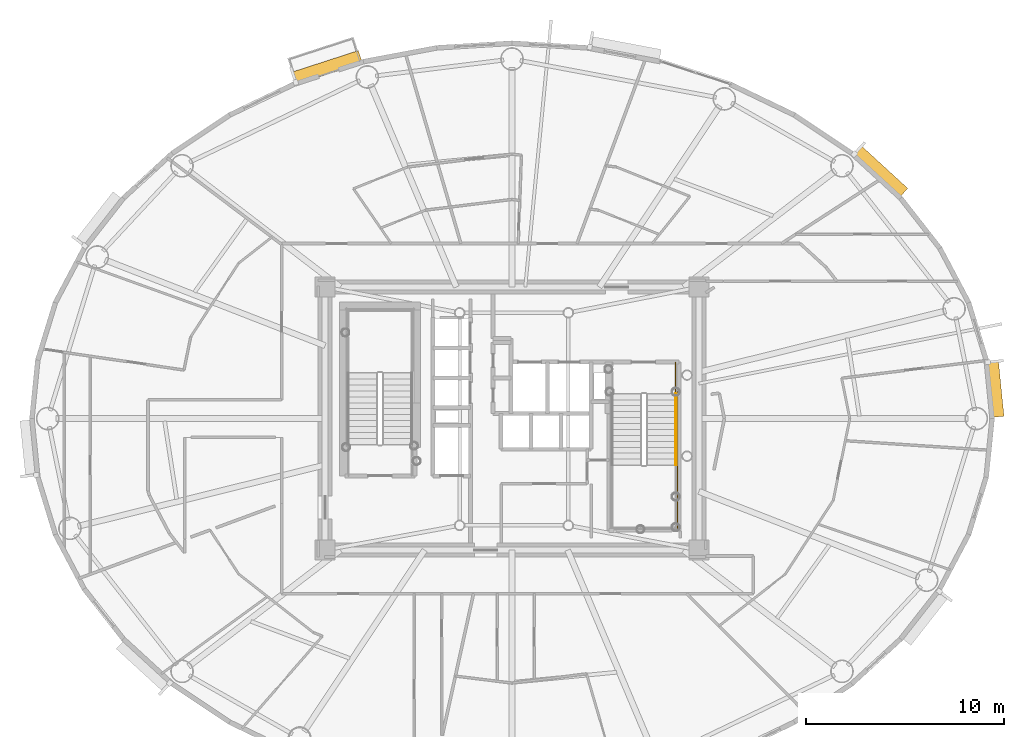
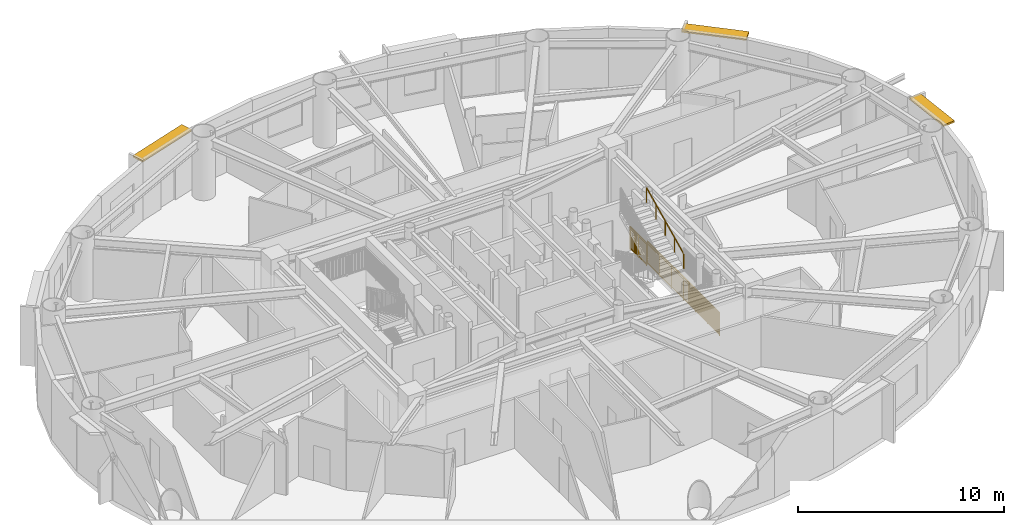
# One storey, part 18 of 19: 3 railings, 3 shading devices.
"""IFC4 building model written with IfcOpenShell, lengths in metres."""

import ifcopenshell
import ifcopenshell.guid

model = None  # the IFC model being written
_history = None  # IfcOwnerHistory: only IFC2X3 demands one
_inside = {}  # id of a spatial element -> (the spatial element, [elements in it])
_under = {}  # id of a project, library or spatial element -> (it, [spatial elements below it])
_declared = {}  # id of a project -> (the project, [libraries it declares])
_typed = {}  # id of a type object -> (the type object, [elements of that type])
_made_of = {}  # id of a material, layer set ... -> (it, [elements and type objects made of it])


def new_model(schema):
    """Start an empty IFC model of exactly this schema.

    Asked for "IFC4X3", IfcOpenShell would pick the latest addendum, in which some entities
    have other attributes; the version numbers below select the first issue.
    IFC2X3 requires an IfcOwnerHistory on every rooted entity: one is made here for all.
    """
    global model, _history
    if schema == "IFC4X3":
        model = ifcopenshell.file(schema_version=(4, 3, 0, 0))
    else:
        model = ifcopenshell.file(schema=schema)
    _inside.clear()
    _under.clear()
    _declared.clear()
    _typed.clear()
    _made_of.clear()
    _history = None
    if model.schema == "IFC2X3":
        org = make("IfcOrganization", Name="unknown")
        user = make(
            "IfcPersonAndOrganization",
            ThePerson=make("IfcPerson", FamilyName="unknown"),
            TheOrganization=org,
        )
        app = make(
            "IfcApplication",
            ApplicationDeveloper=org,
            Version="unknown",
            ApplicationFullName="unknown",
            ApplicationIdentifier="unknown",
        )
        _history = make(
            "IfcOwnerHistory",
            OwningUser=user,
            OwningApplication=app,
            ChangeAction="ADDED",
            CreationDate=0,
        )
    return model


def make(cls, **values):
    """One entity of the class cls with the attributes given. An attribute that is None is left unset."""
    return model.create_entity(
        cls, **{name: value for name, value in values.items() if value is not None}
    )


def rooted(cls, **values):
    """An entity with a GlobalId (a new one), such as an element, a storey or a relation."""
    return make(cls, GlobalId=ifcopenshell.guid.new(), OwnerHistory=_history, **values)


def si_unit(unit_type, name, prefix=None):
    """IfcSIUnit, for example si_unit("LENGTHUNIT", "METRE", prefix="MILLI")."""
    return make("IfcSIUnit", UnitType=unit_type, Prefix=prefix, Name=name)


def assignment(units):
    """IfcUnitAssignment: the units of a project."""
    return None if units is None else make("IfcUnitAssignment", Units=units)


def point(xyz):
    """IfcCartesianPoint."""
    return None if xyz is None else make("IfcCartesianPoint", Coordinates=xyz)


def direction(xyz):
    """IfcDirection."""
    return None if xyz is None else make("IfcDirection", DirectionRatios=xyz)


def frame(location, z_axis=None, x_axis=None):
    """IfcAxis2Placement3D, a coordinate frame: its origin and axes. An axis left out is left unset."""
    return make(
        "IfcAxis2Placement3D",
        Location=point(location),
        Axis=direction(z_axis),
        RefDirection=direction(x_axis),
    )


def frame_2d(location, x_axis=None):
    """IfcAxis2Placement2D, a coordinate frame in the plane: its origin and x axis."""
    return make(
        "IfcAxis2Placement2D", Location=point(location), RefDirection=direction(x_axis)
    )


def origin():
    """The frame at (0, 0, 0) with its axes left unset."""
    return frame((0.0, 0.0, 0.0))


def origin_2d():
    """The frame at (0, 0) in the plane with its x axis left unset."""
    return frame_2d((0.0, 0.0))


def place(relative_to, where):
    """IfcLocalPlacement: puts the frame where relative to a parent placement (None: the world)."""
    return make(
        "IfcLocalPlacement", PlacementRelTo=relative_to, RelativePlacement=where
    )


def context(
    kind, dimensions, precision=None, world=None, true_north=None, identifier=None
):
    """IfcGeometricRepresentationContext, for example the 3D "Model" context."""
    return make(
        "IfcGeometricRepresentationContext",
        ContextIdentifier=identifier,
        ContextType=kind,
        CoordinateSpaceDimension=dimensions,
        Precision=precision,
        WorldCoordinateSystem=world,
        TrueNorth=true_north,
    )


def subcontext(parent, identifier, kind, view, scale=None):
    """IfcGeometricRepresentationSubContext, for example "Body" below "Model"."""
    return make(
        "IfcGeometricRepresentationSubContext",
        ContextIdentifier=identifier,
        ContextType=kind,
        ParentContext=parent,
        TargetScale=scale,
        TargetView=view,
    )


def project(units=None, contexts=None):
    """IfcProject with its units and contexts."""
    return rooted(
        "IfcProject",
        Name="project",
        RepresentationContexts=contexts,
        UnitsInContext=assignment(units),
    )


def spatial(cls, under=None, at=None, **own):
    """A site, building, storey or space (cls), placed at a placement, below another one or the project."""
    s = rooted(cls, ObjectPlacement=at, **own)
    if under is not None:
        _under.setdefault(under.id(), (under, []))[1].append(s)
    return s


def profile(cls, at=None, kind="AREA", **sizes):
    """A parametric profile (cls). Its sizes go by their IFC names, for example OverallWidth=200.0."""
    return make(cls, ProfileType=kind, Position=at, **sizes)


def rectangle(**sizes):
    """IfcRectangleProfileDef."""
    return profile("IfcRectangleProfileDef", **sizes)


def extrude(swept, where, along, depth):
    """IfcExtrudedAreaSolid: the profile swept, set in the frame where, extruded along a direction by depth."""
    return make(
        "IfcExtrudedAreaSolid",
        SweptArea=swept,
        Position=where,
        ExtrudedDirection=direction(along),
        Depth=depth,
    )


def shape(context_of_items, identifier, shape_type, items):
    """IfcShapeRepresentation: the items that make up one representation, for example the "Body"."""
    return make(
        "IfcShapeRepresentation",
        ContextOfItems=context_of_items,
        RepresentationIdentifier=identifier,
        RepresentationType=shape_type,
        Items=items,
    )


def source(mapping_origin, context_of_items, identifier, shape_type, items):
    """IfcRepresentationMap: a shape defined once, which mapped items show again and again."""
    return make(
        "IfcRepresentationMap",
        MappingOrigin=mapping_origin,
        MappedRepresentation=shape(context_of_items, identifier, shape_type, items),
    )


def transform(
    local_origin,
    x_axis=None,
    y_axis=None,
    z_axis=None,
    scale=None,
    scale2=None,
    scale3=None,
    uniform=True,
):
    """IfcCartesianTransformationOperator3D, or its non-uniform kind. x_axis, y_axis, z_axis: its Axis1, 2, 3."""
    if uniform:
        return make(
            "IfcCartesianTransformationOperator3D",
            Axis1=direction(x_axis),
            Axis2=direction(y_axis),
            LocalOrigin=point(local_origin),
            Scale=scale,
            Axis3=direction(z_axis),
        )
    return make(
        "IfcCartesianTransformationOperator3DnonUniform",
        Axis1=direction(x_axis),
        Axis2=direction(y_axis),
        LocalOrigin=point(local_origin),
        Scale=scale,
        Axis3=direction(z_axis),
        Scale2=scale2,
        Scale3=scale3,
    )


def mapped(mapping_source, mapping_target):
    """IfcMappedItem: shows the shape of a source again, moved by a transform."""
    return make(
        "IfcMappedItem", MappingSource=mapping_source, MappingTarget=mapping_target
    )


def material(Name=None, Category=None):
    """IfcMaterial."""
    return make("IfcMaterial", Name=Name, Category=Category)


def layer(
    of_material, thickness, ventilated=None, Name=None, Category=None, Priority=None
):
    """IfcMaterialLayer: one layer of a wall or slab, of a material (None: an air gap)."""
    return make(
        "IfcMaterialLayer",
        Material=of_material,
        LayerThickness=thickness,
        IsVentilated=ventilated,
        Name=Name,
        Category=Category,
        Priority=Priority,
    )


def layer_set(layers, Name=None):
    """IfcMaterialLayerSet."""
    return make("IfcMaterialLayerSet", MaterialLayers=layers, LayerSetName=Name)


def made_of(thing, what):
    """Note that an element or type object is made of a material, layer set ...; save() writes the relation."""
    if what is not None:
        _made_of.setdefault(what.id(), (what, []))[1].append(thing)
    return thing


def type_object(cls, material=None, **own):
    """A type object (cls), such as IfcWallType, which elements share."""
    return made_of(rooted(cls, **own), material)


def element(
    cls,
    number,
    at=None,
    inside=None,
    cuts=None,
    type_object=None,
    material=None,
    context=None,
    identifier="Body",
    shape_type=None,
    held_by="IfcProductDefinitionShape",
    body=None,
    shapes=None,
    **own,
):
    """One element of the class cls, such as IfcWall. Its Tag is "e" and its number.

    at: its placement. inside: the storey or other place that contains it. cuts: it is an
    opening in that element (IfcRelVoidsElement). A single representation is given by context,
    identifier, shape_type and body (its items); several are given by shapes. held_by: the class
    of the entity that holds the representations. save() writes the other relations.
    """
    e = rooted(cls, Tag="e%d" % number, ObjectPlacement=at, **own)
    if body is not None:
        shapes = [shape(context, identifier, shape_type, body)]
    if shapes is not None:
        e.Representation = make(held_by, Representations=shapes)
    if inside is not None:
        _inside.setdefault(inside.id(), (inside, []))[1].append(e)
    if cuts is not None:
        rooted(
            "IfcRelVoidsElement", RelatingBuildingElement=cuts, RelatedOpeningElement=e
        )
    if type_object is not None:
        _typed.setdefault(type_object.id(), (type_object, []))[1].append(e)
    return made_of(e, material)


def aggregate(whole, parts):
    """IfcRelAggregates: a whole, such as a stair, and the parts it consists of."""
    return rooted("IfcRelAggregates", RelatingObject=whole, RelatedObjects=parts)


def save(model, path):
    """Write the relations noted so far, then the file.

    IfcRelAggregates (storeys below a building ...), IfcRelContainedInSpatialStructure (elements
    in a storey), IfcRelDefinesByType, IfcRelAssociatesMaterial and IfcRelDeclares: one each for
    every whole, place, type object, material and project.
    """
    for whole, parts in _under.values():
        aggregate(whole, parts)
    for where, things in _inside.values():
        rooted(
            "IfcRelContainedInSpatialStructure",
            RelatedElements=things,
            RelatingStructure=where,
        )
    for kind, things in _typed.values():
        rooted("IfcRelDefinesByType", RelatedObjects=things, RelatingType=kind)
    for what, things in _made_of.values():
        rooted("IfcRelAssociatesMaterial", RelatedObjects=things, RelatingMaterial=what)
    for by, libraries in _declared.values():
        rooted("IfcRelDeclares", RelatingContext=by, RelatedDefinitions=libraries)
    model.write(path)


model = new_model("IFC4")

# Units and contexts
model_context = context("Model", 3, precision=1e-05, world=origin(), true_north=direction((0.0, 1.0)))
body_context = subcontext(model_context, "Body", "Model", "MODEL_VIEW")
ifc_project = project(units=[si_unit("LENGTHUNIT", "METRE"), si_unit("AREAUNIT", "SQUARE_METRE"), si_unit("VOLUMEUNIT", "CUBIC_METRE"), si_unit("PLANEANGLEUNIT", "RADIAN"), si_unit("MASSUNIT", "GRAM", prefix="KILO")], contexts=[model_context])

# Site, building, storey
site_placement = place(None, origin())
site = spatial("IfcSite", under=ifc_project, at=site_placement, CompositionType="ELEMENT")
building_placement = place(site_placement, origin())
building = spatial("IfcBuilding", under=site, at=building_placement, Name="Linh Dai School and Residence Tower", CompositionType="ELEMENT")
storey_placement = place(building_placement, frame((0.0, 0.0, 217.800048828125)))
storey = spatial("IfcBuildingStorey", under=building, at=storey_placement, Name="L53", CompositionType="ELEMENT", Elevation=217.800048828125)

# Shading devices
ifc_material_1 = material(Name="Terracotta Ceramic Sunshade", Category="masonry")
ifc_layer = layer(ifc_material_1, 0.10009765625)
ifc_layer_set = layer_set([ifc_layer], Name="Terracotta Ceramic Sunshade")
shading_device_type = type_object("IfcShadingDeviceType", Name="SHD-TC-650", PredefinedType="USERDEFINED", material=ifc_layer_set)
shared_shape_1 = source(origin(), body_context, "Body", "SweptSolid", [
    extrude(rectangle(XDim=2.859619140625, YDim=0.64990234375, at=origin_2d()), origin(), (0.0, 0.0, 1.0), 0.10009765625),
])
shading_device_1_placement = place(storey_placement, frame((60.40966796875, 28.510498046875, 3.3798828125), z_axis=(0.0, 0.0, 1.0), x_axis=(0.100012244219, -0.99498620644, 0.0)))
element("IfcShadingDevice", 1, at=shading_device_1_placement, inside=storey, type_object=shading_device_type, Name="L53 Terracotta Horizontal Sunshade Band 01", ObjectType="SUNSHADE", PredefinedType="USERDEFINED", context=body_context, shape_type="MappedRepresentation", body=[
    mapped(shared_shape_1, transform((0.0, 0.0, 0.0), x_axis=(1.0, 0.0, 0.0), y_axis=(0.0, 1.0, 0.0), z_axis=(0.0, 0.0, 1.0), scale=1.0)),
])
shared_shape_2 = source(origin(), body_context, "Body", "SweptSolid", [
    extrude(rectangle(XDim=3.219482421875, YDim=0.64990234375, at=origin_2d()), origin(), (0.0, 0.0, 1.0), 0.10009765625),
])
shading_device_2_placement = place(storey_placement, frame((54.60498046875, 39.48779296875, 3.3798828125), z_axis=(0.0, 0.0, 1.0), x_axis=(0.737123938446, -0.675757574408, 0.0)))
element("IfcShadingDevice", 2, at=shading_device_2_placement, inside=storey, type_object=shading_device_type, Name="L53 Terracotta Horizontal Sunshade Band 05", ObjectType="SUNSHADE", PredefinedType="USERDEFINED", context=body_context, shape_type="MappedRepresentation", body=[
    mapped(shared_shape_2, transform((0.0, 0.0, 0.0), x_axis=(1.0, 0.0, 0.0), y_axis=(0.0, 1.0, 0.0), z_axis=(0.0, 0.0, 1.0), scale=1.0)),
])
shared_shape_3 = source(origin(), body_context, "Body", "SweptSolid", [
    extrude(rectangle(XDim=3.554443359375, YDim=0.64990234375, at=origin_2d()), origin(), (0.0, 0.0, 1.0), 0.10009765625),
])
shading_device_3_placement = place(storey_placement, frame((26.641845703125, 44.748779296875, 3.3798828125), z_axis=(0.0, 0.0, 1.0), x_axis=(0.951223997135, 0.308501065272, 0.0)))
element("IfcShadingDevice", 3, at=shading_device_3_placement, inside=storey, type_object=shading_device_type, Name="L53 Terracotta Horizontal Sunshade Band 13", ObjectType="SUNSHADE", PredefinedType="USERDEFINED", context=body_context, shape_type="MappedRepresentation", body=[
    mapped(shared_shape_3, transform((0.0, 0.0, 0.0), x_axis=(1.0, 0.0, 0.0), y_axis=(0.0, 1.0, 0.0), z_axis=(0.0, 0.0, 1.0), scale=1.0)),
])

# Railings
ifc_material_2 = material(Name="Brushed Stainless Steel Handrail", Category="steel")
railing_type_1 = type_object("IfcRailingType", Name="RL-ST-HANDRAIL-900", PredefinedType="HANDRAIL", material=ifc_material_2)
shared_shape_4 = source(origin(), body_context, "Body", "SweptSolid", [
    extrude(rectangle(XDim=0.048095703125, YDim=0.048095703125, at=origin_2d()), frame((0.0, 0.0, 0.8759765625), z_axis=(0.0, 0.901262522062, 0.433273431364), x_axis=(-1.0, 0.0, 0.0)), (0.0, 0.0, 1.0), 3.994384765625),
    extrude(rectangle(XDim=0.0419921875, YDim=0.0419921875, at=origin_2d()), origin(), (0.0, 0.0, 1.0), 0.8759765625),
    extrude(rectangle(XDim=0.0419921875, YDim=0.0419921875, at=origin_2d()), frame((0.0, 0.89990234375, 0.4326171875)), (0.0, 0.0, 1.0), 0.8759765625),
    extrude(rectangle(XDim=0.0419921875, YDim=0.0419921875, at=origin_2d()), frame((0.0, 1.800048828125, 0.865234375)), (0.0, 0.0, 1.0), 0.8759765625),
    extrude(rectangle(XDim=0.0419921875, YDim=0.0419921875, at=origin_2d()), frame((0.0, 2.7001953125, 1.298095703125)), (0.0, 0.0, 1.0), 0.8759765625),
    extrude(rectangle(XDim=0.0419921875, YDim=0.0419921875, at=origin_2d()), frame((0.0, 3.60009765625, 1.730712890625)), (0.0, 0.0, 1.0), 0.8759765625),
])
railing_1_placement = place(storey_placement, frame((44.27001953125, 24.64990234375, 2.019287109375)))
element("IfcRailing", 4, at=railing_1_placement, inside=storey, type_object=railing_type_1, Name="L53 ST2 stair handrail 2", PredefinedType="HANDRAIL", context=body_context, shape_type="MappedRepresentation", body=[
    mapped(shared_shape_4, transform((0.0, 0.0, 0.0), x_axis=(1.0, 0.0, 0.0), y_axis=(0.0, 1.0, 0.0), z_axis=(0.0, 0.0, 1.0), scale=1.0)),
])
ifc_material_3 = material(Name="Structural Steel S355JR", Category="steel")
railing_type_2 = type_object("IfcRailingType", Name="RL-ST-GUARD-1400", PredefinedType="GUARDRAIL", material=ifc_material_3)
shared_shape_5 = source(origin(), body_context, "Body", "SweptSolid", [
    extrude(rectangle(XDim=0.048095703125, YDim=0.048095703125, at=origin_2d()), frame((0.0, 0.0, 1.3759765625), z_axis=(0.0, -1.0, 0.0), x_axis=(1.0, 0.0, 0.0)), (0.0, 0.0, 1.0), 1.60009765625),
    extrude(rectangle(XDim=0.048095703125, YDim=0.048095703125, at=origin_2d()), frame((0.0, 0.0, 0.10009765625), z_axis=(0.0, -1.0, 0.0), x_axis=(1.0, 0.0, 0.0)), (0.0, 0.0, 1.0), 1.60009765625),
    extrude(rectangle(XDim=0.030029296875, YDim=0.030029296875, at=origin_2d()), frame((0.0, 0.0, 1.239990234375), z_axis=(0.0, -1.0, 0.0), x_axis=(1.0, 0.0, 0.0)), (0.0, 0.0, 1.0), 1.60009765625),
    extrude(rectangle(XDim=0.02001953125, YDim=0.02001953125, at=origin_2d()), frame((0.0, -0.09423828125, 0.10009765625)), (0.0, 0.0, 1.0), 1.251708984375),
    extrude(rectangle(XDim=0.02001953125, YDim=0.02001953125, at=origin_2d()), frame((0.0, -0.188232421875, 0.10009765625)), (0.0, 0.0, 1.0), 1.251708984375),
    extrude(rectangle(XDim=0.02001953125, YDim=0.02001953125, at=origin_2d()), frame((0.0, -0.282470703125, 0.10009765625)), (0.0, 0.0, 1.0), 1.251708984375),
    extrude(rectangle(XDim=0.02001953125, YDim=0.02001953125, at=origin_2d()), frame((0.0, -0.37646484375, 0.10009765625)), (0.0, 0.0, 1.0), 1.251708984375),
    extrude(rectangle(XDim=0.02001953125, YDim=0.02001953125, at=origin_2d()), frame((0.0, -0.470703125, 0.10009765625)), (0.0, 0.0, 1.0), 1.251708984375),
    extrude(rectangle(XDim=0.02001953125, YDim=0.02001953125, at=origin_2d()), frame((0.0, -0.564697265625, 0.10009765625)), (0.0, 0.0, 1.0), 1.251708984375),
    extrude(rectangle(XDim=0.02001953125, YDim=0.02001953125, at=origin_2d()), frame((0.0, -0.658935546875, 0.10009765625)), (0.0, 0.0, 1.0), 1.251708984375),
    extrude(rectangle(XDim=0.02001953125, YDim=0.02001953125, at=origin_2d()), frame((0.0, -0.7529296875, 0.10009765625)), (0.0, 0.0, 1.0), 1.251708984375),
    extrude(rectangle(XDim=0.02001953125, YDim=0.02001953125, at=origin_2d()), frame((0.0, -0.84716796875, 0.10009765625)), (0.0, 0.0, 1.0), 1.251708984375),
    extrude(rectangle(XDim=0.02001953125, YDim=0.02001953125, at=origin_2d()), frame((0.0, -0.941162109375, 0.10009765625)), (0.0, 0.0, 1.0), 1.251708984375),
    extrude(rectangle(XDim=0.02001953125, YDim=0.02001953125, at=origin_2d()), frame((0.0, -1.035400390625, 0.10009765625)), (0.0, 0.0, 1.0), 1.251708984375),
    extrude(rectangle(XDim=0.02001953125, YDim=0.02001953125, at=origin_2d()), frame((0.0, -1.12939453125, 0.10009765625)), (0.0, 0.0, 1.0), 1.251708984375),
    extrude(rectangle(XDim=0.02001953125, YDim=0.02001953125, at=origin_2d()), frame((0.0, -1.2236328125, 0.10009765625)), (0.0, 0.0, 1.0), 1.251708984375),
    extrude(rectangle(XDim=0.02001953125, YDim=0.02001953125, at=origin_2d()), frame((0.0, -1.317626953125, 0.10009765625)), (0.0, 0.0, 1.0), 1.251708984375),
    extrude(rectangle(XDim=0.02001953125, YDim=0.02001953125, at=origin_2d()), frame((0.0, -1.411865234375, 0.10009765625)), (0.0, 0.0, 1.0), 1.251708984375),
    extrude(rectangle(XDim=0.02001953125, YDim=0.02001953125, at=origin_2d()), frame((0.0, -1.505859375, 0.10009765625)), (0.0, 0.0, 1.0), 1.251708984375),
    extrude(rectangle(XDim=0.0419921875, YDim=0.0419921875, at=origin_2d()), origin(), (0.0, 0.0, 1.0), 1.3759765625),
    extrude(rectangle(XDim=0.0419921875, YDim=0.0419921875, at=origin_2d()), frame((0.0, -0.800048828125, 0.0)), (0.0, 0.0, 1.0), 1.3759765625),
    extrude(rectangle(XDim=0.0419921875, YDim=0.0419921875, at=origin_2d()), frame((0.0, -1.60009765625, 0.0)), (0.0, 0.0, 1.0), 1.3759765625),
])
railing_2_placement = place(storey_placement, frame((44.27001953125, 29.85009765625, 0.0)))
element("IfcRailing", 5, at=railing_2_placement, inside=storey, type_object=railing_type_2, Name="L53 ST2 stair guard 9", PredefinedType="GUARDRAIL", context=body_context, shape_type="MappedRepresentation", body=[
    mapped(shared_shape_5, transform((0.0, 0.0, 0.0), x_axis=(1.0, 0.0, 0.0), y_axis=(0.0, 1.0, 0.0), z_axis=(0.0, 0.0, 1.0), scale=1.0)),
])
shared_shape_6 = source(origin(), body_context, "Body", "SweptSolid", [
    extrude(rectangle(XDim=0.048095703125, YDim=0.048095703125, at=origin_2d()), frame((0.0, 0.0, 1.3759765625), z_axis=(0.0, -1.0, 0.0), x_axis=(1.0, 0.0, 0.0)), (0.0, 0.0, 1.0), 7.0),
    extrude(rectangle(XDim=0.048095703125, YDim=0.048095703125, at=origin_2d()), frame((0.0, 0.0, 0.10009765625), z_axis=(0.0, -1.0, 0.0), x_axis=(1.0, 0.0, 0.0)), (0.0, 0.0, 1.0), 7.0),
    extrude(rectangle(XDim=0.030029296875, YDim=0.030029296875, at=origin_2d()), frame((0.0, 0.0, 1.239990234375), z_axis=(0.0, -1.0, 0.0), x_axis=(1.0, 0.0, 0.0)), (0.0, 0.0, 1.0), 7.0),
    extrude(rectangle(XDim=0.02001953125, YDim=0.02001953125, at=origin_2d()), frame((0.0, -0.09716796875, 0.10009765625)), (0.0, 0.0, 1.0), 1.251708984375),
    extrude(rectangle(XDim=0.02001953125, YDim=0.02001953125, at=origin_2d()), frame((0.0, -0.1943359375, 0.10009765625)), (0.0, 0.0, 1.0), 1.251708984375),
    extrude(rectangle(XDim=0.02001953125, YDim=0.02001953125, at=origin_2d()), frame((0.0, -0.291748046875, 0.10009765625)), (0.0, 0.0, 1.0), 1.251708984375),
    extrude(rectangle(XDim=0.02001953125, YDim=0.02001953125, at=origin_2d()), frame((0.0, -0.388916015625, 0.10009765625)), (0.0, 0.0, 1.0), 1.251708984375),
    extrude(rectangle(XDim=0.02001953125, YDim=0.02001953125, at=origin_2d()), frame((0.0, -0.486083984375, 0.10009765625)), (0.0, 0.0, 1.0), 1.251708984375),
    extrude(rectangle(XDim=0.02001953125, YDim=0.02001953125, at=origin_2d()), frame((0.0, -0.583251953125, 0.10009765625)), (0.0, 0.0, 1.0), 1.251708984375),
    extrude(rectangle(XDim=0.02001953125, YDim=0.02001953125, at=origin_2d()), frame((0.0, -0.6806640625, 0.10009765625)), (0.0, 0.0, 1.0), 1.251708984375),
    extrude(rectangle(XDim=0.02001953125, YDim=0.02001953125, at=origin_2d()), frame((0.0, -0.77783203125, 0.10009765625)), (0.0, 0.0, 1.0), 1.251708984375),
    extrude(rectangle(XDim=0.02001953125, YDim=0.02001953125, at=origin_2d()), frame((0.0, -0.875, 0.10009765625)), (0.0, 0.0, 1.0), 1.251708984375),
    extrude(rectangle(XDim=0.02001953125, YDim=0.02001953125, at=origin_2d()), frame((0.0, -0.97216796875, 0.10009765625)), (0.0, 0.0, 1.0), 1.251708984375),
    extrude(rectangle(XDim=0.02001953125, YDim=0.02001953125, at=origin_2d()), frame((0.0, -1.0693359375, 0.10009765625)), (0.0, 0.0, 1.0), 1.251708984375),
    extrude(rectangle(XDim=0.02001953125, YDim=0.02001953125, at=origin_2d()), frame((0.0, -1.263916015625, 0.10009765625)), (0.0, 0.0, 1.0), 1.251708984375),
    extrude(rectangle(XDim=0.02001953125, YDim=0.02001953125, at=origin_2d()), frame((0.0, -1.361083984375, 0.10009765625)), (0.0, 0.0, 1.0), 1.251708984375),
    extrude(rectangle(XDim=0.02001953125, YDim=0.02001953125, at=origin_2d()), frame((0.0, -1.458251953125, 0.10009765625)), (0.0, 0.0, 1.0), 1.251708984375),
    extrude(rectangle(XDim=0.02001953125, YDim=0.02001953125, at=origin_2d()), frame((0.0, -1.5556640625, 0.10009765625)), (0.0, 0.0, 1.0), 1.251708984375),
    extrude(rectangle(XDim=0.02001953125, YDim=0.02001953125, at=origin_2d()), frame((0.0, -1.65283203125, 0.10009765625)), (0.0, 0.0, 1.0), 1.251708984375),
    extrude(rectangle(XDim=0.02001953125, YDim=0.02001953125, at=origin_2d()), frame((0.0, -1.75, 0.10009765625)), (0.0, 0.0, 1.0), 1.251708984375),
    extrude(rectangle(XDim=0.02001953125, YDim=0.02001953125, at=origin_2d()), frame((0.0, -1.84716796875, 0.10009765625)), (0.0, 0.0, 1.0), 1.251708984375),
    extrude(rectangle(XDim=0.02001953125, YDim=0.02001953125, at=origin_2d()), frame((0.0, -1.9443359375, 0.10009765625)), (0.0, 0.0, 1.0), 1.251708984375),
    extrude(rectangle(XDim=0.02001953125, YDim=0.02001953125, at=origin_2d()), frame((0.0, -2.041748046875, 0.10009765625)), (0.0, 0.0, 1.0), 1.251708984375),
    extrude(rectangle(XDim=0.02001953125, YDim=0.02001953125, at=origin_2d()), frame((0.0, -2.138916015625, 0.10009765625)), (0.0, 0.0, 1.0), 1.251708984375),
    extrude(rectangle(XDim=0.02001953125, YDim=0.02001953125, at=origin_2d()), frame((0.0, -2.236083984375, 0.10009765625)), (0.0, 0.0, 1.0), 1.251708984375),
    extrude(rectangle(XDim=0.02001953125, YDim=0.02001953125, at=origin_2d()), frame((0.0, -2.4306640625, 0.10009765625)), (0.0, 0.0, 1.0), 1.251708984375),
    extrude(rectangle(XDim=0.02001953125, YDim=0.02001953125, at=origin_2d()), frame((0.0, -2.52783203125, 0.10009765625)), (0.0, 0.0, 1.0), 1.251708984375),
    extrude(rectangle(XDim=0.02001953125, YDim=0.02001953125, at=origin_2d()), frame((0.0, -2.625, 0.10009765625)), (0.0, 0.0, 1.0), 1.251708984375),
    extrude(rectangle(XDim=0.02001953125, YDim=0.02001953125, at=origin_2d()), frame((0.0, -2.72216796875, 0.10009765625)), (0.0, 0.0, 1.0), 1.251708984375),
    extrude(rectangle(XDim=0.02001953125, YDim=0.02001953125, at=origin_2d()), frame((0.0, -2.8193359375, 0.10009765625)), (0.0, 0.0, 1.0), 1.251708984375),
    extrude(rectangle(XDim=0.02001953125, YDim=0.02001953125, at=origin_2d()), frame((0.0, -2.916748046875, 0.10009765625)), (0.0, 0.0, 1.0), 1.251708984375),
    extrude(rectangle(XDim=0.02001953125, YDim=0.02001953125, at=origin_2d()), frame((0.0, -3.013916015625, 0.10009765625)), (0.0, 0.0, 1.0), 1.251708984375),
    extrude(rectangle(XDim=0.02001953125, YDim=0.02001953125, at=origin_2d()), frame((0.0, -3.111083984375, 0.10009765625)), (0.0, 0.0, 1.0), 1.251708984375),
    extrude(rectangle(XDim=0.02001953125, YDim=0.02001953125, at=origin_2d()), frame((0.0, -3.208251953125, 0.10009765625)), (0.0, 0.0, 1.0), 1.251708984375),
    extrude(rectangle(XDim=0.02001953125, YDim=0.02001953125, at=origin_2d()), frame((0.0, -3.3056640625, 0.10009765625)), (0.0, 0.0, 1.0), 1.251708984375),
    extrude(rectangle(XDim=0.02001953125, YDim=0.02001953125, at=origin_2d()), frame((0.0, -3.40283203125, 0.10009765625)), (0.0, 0.0, 1.0), 1.251708984375),
    extrude(rectangle(XDim=0.02001953125, YDim=0.02001953125, at=origin_2d()), frame((0.0, -3.59716796875, 0.10009765625)), (0.0, 0.0, 1.0), 1.251708984375),
    extrude(rectangle(XDim=0.02001953125, YDim=0.02001953125, at=origin_2d()), frame((0.0, -3.6943359375, 0.10009765625)), (0.0, 0.0, 1.0), 1.251708984375),
    extrude(rectangle(XDim=0.02001953125, YDim=0.02001953125, at=origin_2d()), frame((0.0, -3.791748046875, 0.10009765625)), (0.0, 0.0, 1.0), 1.251708984375),
    extrude(rectangle(XDim=0.02001953125, YDim=0.02001953125, at=origin_2d()), frame((0.0, -3.888916015625, 0.10009765625)), (0.0, 0.0, 1.0), 1.251708984375),
    extrude(rectangle(XDim=0.02001953125, YDim=0.02001953125, at=origin_2d()), frame((0.0, -3.986083984375, 0.10009765625)), (0.0, 0.0, 1.0), 1.251708984375),
    extrude(rectangle(XDim=0.02001953125, YDim=0.02001953125, at=origin_2d()), frame((0.0, -4.083251953125, 0.10009765625)), (0.0, 0.0, 1.0), 1.251708984375),
    extrude(rectangle(XDim=0.02001953125, YDim=0.02001953125, at=origin_2d()), frame((0.0, -4.1806640625, 0.10009765625)), (0.0, 0.0, 1.0), 1.251708984375),
    extrude(rectangle(XDim=0.02001953125, YDim=0.02001953125, at=origin_2d()), frame((0.0, -4.27783203125, 0.10009765625)), (0.0, 0.0, 1.0), 1.251708984375),
    extrude(rectangle(XDim=0.02001953125, YDim=0.02001953125, at=origin_2d()), frame((0.0, -4.375, 0.10009765625)), (0.0, 0.0, 1.0), 1.251708984375),
    extrude(rectangle(XDim=0.02001953125, YDim=0.02001953125, at=origin_2d()), frame((0.0, -4.47216796875, 0.10009765625)), (0.0, 0.0, 1.0), 1.251708984375),
    extrude(rectangle(XDim=0.02001953125, YDim=0.02001953125, at=origin_2d()), frame((0.0, -4.5693359375, 0.10009765625)), (0.0, 0.0, 1.0), 1.251708984375),
    extrude(rectangle(XDim=0.02001953125, YDim=0.02001953125, at=origin_2d()), frame((0.0, -4.763916015625, 0.10009765625)), (0.0, 0.0, 1.0), 1.251708984375),
    extrude(rectangle(XDim=0.02001953125, YDim=0.02001953125, at=origin_2d()), frame((0.0, -4.861083984375, 0.10009765625)), (0.0, 0.0, 1.0), 1.251708984375),
    extrude(rectangle(XDim=0.02001953125, YDim=0.02001953125, at=origin_2d()), frame((0.0, -4.958251953125, 0.10009765625)), (0.0, 0.0, 1.0), 1.251708984375),
    extrude(rectangle(XDim=0.02001953125, YDim=0.02001953125, at=origin_2d()), frame((0.0, -5.0556640625, 0.10009765625)), (0.0, 0.0, 1.0), 1.251708984375),
    extrude(rectangle(XDim=0.02001953125, YDim=0.02001953125, at=origin_2d()), frame((0.0, -5.15283203125, 0.10009765625)), (0.0, 0.0, 1.0), 1.251708984375),
    extrude(rectangle(XDim=0.02001953125, YDim=0.02001953125, at=origin_2d()), frame((0.0, -5.25, 0.10009765625)), (0.0, 0.0, 1.0), 1.251708984375),
    extrude(rectangle(XDim=0.02001953125, YDim=0.02001953125, at=origin_2d()), frame((0.0, -5.34716796875, 0.10009765625)), (0.0, 0.0, 1.0), 1.251708984375),
    extrude(rectangle(XDim=0.02001953125, YDim=0.02001953125, at=origin_2d()), frame((0.0, -5.4443359375, 0.10009765625)), (0.0, 0.0, 1.0), 1.251708984375),
    extrude(rectangle(XDim=0.02001953125, YDim=0.02001953125, at=origin_2d()), frame((0.0, -5.541748046875, 0.10009765625)), (0.0, 0.0, 1.0), 1.251708984375),
    extrude(rectangle(XDim=0.02001953125, YDim=0.02001953125, at=origin_2d()), frame((0.0, -5.638916015625, 0.10009765625)), (0.0, 0.0, 1.0), 1.251708984375),
    extrude(rectangle(XDim=0.02001953125, YDim=0.02001953125, at=origin_2d()), frame((0.0, -5.736083984375, 0.10009765625)), (0.0, 0.0, 1.0), 1.251708984375),
    extrude(rectangle(XDim=0.02001953125, YDim=0.02001953125, at=origin_2d()), frame((0.0, -5.9306640625, 0.10009765625)), (0.0, 0.0, 1.0), 1.251708984375),
    extrude(rectangle(XDim=0.02001953125, YDim=0.02001953125, at=origin_2d()), frame((0.0, -6.02783203125, 0.10009765625)), (0.0, 0.0, 1.0), 1.251708984375),
    extrude(rectangle(XDim=0.02001953125, YDim=0.02001953125, at=origin_2d()), frame((0.0, -6.125, 0.10009765625)), (0.0, 0.0, 1.0), 1.251708984375),
    extrude(rectangle(XDim=0.02001953125, YDim=0.02001953125, at=origin_2d()), frame((0.0, -6.22216796875, 0.10009765625)), (0.0, 0.0, 1.0), 1.251708984375),
    extrude(rectangle(XDim=0.02001953125, YDim=0.02001953125, at=origin_2d()), frame((0.0, -6.3193359375, 0.10009765625)), (0.0, 0.0, 1.0), 1.251708984375),
    extrude(rectangle(XDim=0.02001953125, YDim=0.02001953125, at=origin_2d()), frame((0.0, -6.416748046875, 0.10009765625)), (0.0, 0.0, 1.0), 1.251708984375),
    extrude(rectangle(XDim=0.02001953125, YDim=0.02001953125, at=origin_2d()), frame((0.0, -6.513916015625, 0.10009765625)), (0.0, 0.0, 1.0), 1.251708984375),
    extrude(rectangle(XDim=0.02001953125, YDim=0.02001953125, at=origin_2d()), frame((0.0, -6.611083984375, 0.10009765625)), (0.0, 0.0, 1.0), 1.251708984375),
    extrude(rectangle(XDim=0.02001953125, YDim=0.02001953125, at=origin_2d()), frame((0.0, -6.708251953125, 0.10009765625)), (0.0, 0.0, 1.0), 1.251708984375),
    extrude(rectangle(XDim=0.02001953125, YDim=0.02001953125, at=origin_2d()), frame((0.0, -6.8056640625, 0.10009765625)), (0.0, 0.0, 1.0), 1.251708984375),
    extrude(rectangle(XDim=0.02001953125, YDim=0.02001953125, at=origin_2d()), frame((0.0, -6.90283203125, 0.10009765625)), (0.0, 0.0, 1.0), 1.251708984375),
    extrude(rectangle(XDim=0.0419921875, YDim=0.0419921875, at=origin_2d()), origin(), (0.0, 0.0, 1.0), 1.3759765625),
    extrude(rectangle(XDim=0.0419921875, YDim=0.0419921875, at=origin_2d()), frame((0.0, -1.166748046875, 0.0)), (0.0, 0.0, 1.0), 1.3759765625),
    extrude(rectangle(XDim=0.0419921875, YDim=0.0419921875, at=origin_2d()), frame((0.0, -2.333251953125, 0.0)), (0.0, 0.0, 1.0), 1.3759765625),
    extrude(rectangle(XDim=0.0419921875, YDim=0.0419921875, at=origin_2d()), frame((0.0, -3.5, 0.0)), (0.0, 0.0, 1.0), 1.3759765625),
    extrude(rectangle(XDim=0.0419921875, YDim=0.0419921875, at=origin_2d()), frame((0.0, -4.666748046875, 0.0)), (0.0, 0.0, 1.0), 1.3759765625),
    extrude(rectangle(XDim=0.0419921875, YDim=0.0419921875, at=origin_2d()), frame((0.0, -5.833251953125, 0.0)), (0.0, 0.0, 1.0), 1.3759765625),
    extrude(rectangle(XDim=0.0419921875, YDim=0.0419921875, at=origin_2d()), frame((0.0, -7.0, 0.0)), (0.0, 0.0, 1.0), 1.3759765625),
])
railing_3_placement = place(storey_placement, frame((44.3701171875, 28.35009765625, 0.0)))
element("IfcRailing", 6, at=railing_3_placement, inside=storey, type_object=railing_type_2, Name="L53 ST2 stair guard 11", PredefinedType="GUARDRAIL", context=body_context, shape_type="MappedRepresentation", body=[
    mapped(shared_shape_6, transform((0.0, 0.0, 0.0), x_axis=(1.0, 0.0, 0.0), y_axis=(0.0, 1.0, 0.0), z_axis=(0.0, 0.0, 1.0), scale=1.0)),
])

save(model, "model.ifc")
